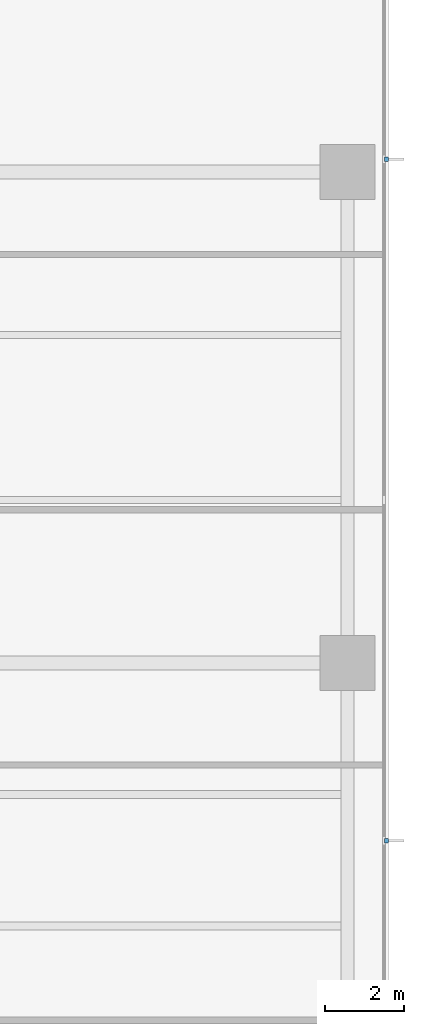
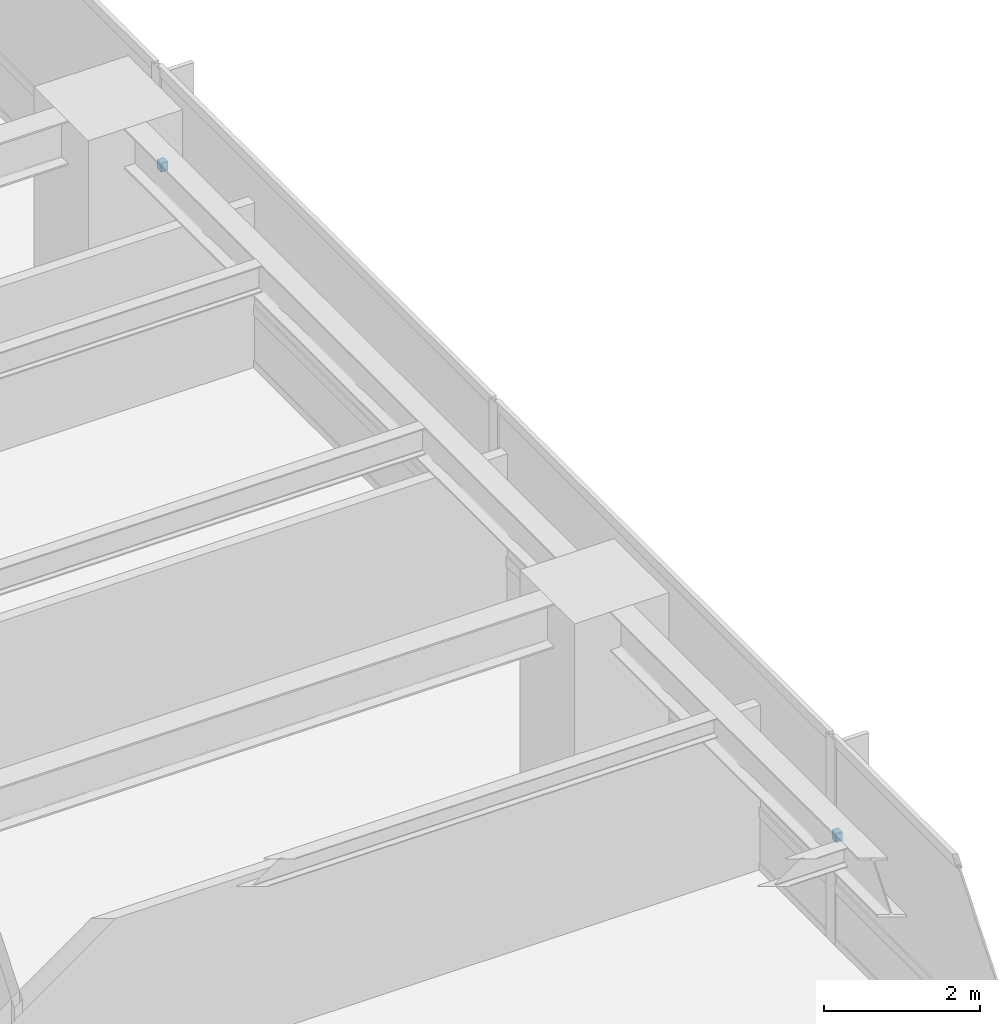
# One storey, part 13 of 16: 2 discrete accessories.
"""IFC4 building model written with IfcOpenShell, lengths in metres."""

from ifc_helpers import new_model, si_unit, direction, frame, origin, place, context, subcontext, project, spatial, polyline, outline, extrude, material, type_object, element, save


model = new_model("IFC4")

# Units and contexts
model_context = context("Model", 3, precision=1e-05, world=origin(), true_north=direction((0.0, 1.0)))
body_context = subcontext(model_context, "Body", "Model", "MODEL_VIEW")
ifc_project = project(units=[si_unit("LENGTHUNIT", "METRE"), si_unit("AREAUNIT", "SQUARE_METRE"), si_unit("VOLUMEUNIT", "CUBIC_METRE"), si_unit("PLANEANGLEUNIT", "RADIAN"), si_unit("MASSUNIT", "GRAM", prefix="KILO")], contexts=[model_context])

# Site, building, storey
site_placement = place(None, origin())
site = spatial("IfcSite", under=ifc_project, at=site_placement, CompositionType="ELEMENT")
building_placement = place(site_placement, origin())
building = spatial("IfcBuilding", under=site, at=building_placement, Name="Qalmaran Belvedere Hotel", CompositionType="ELEMENT")
storey_placement = place(building_placement, frame((0.0, 0.0, 43.89990234375)))
storey = spatial("IfcBuildingStorey", under=building, at=storey_placement, Name="L10", CompositionType="ELEMENT", Elevation=43.89990234375)

# Discrete accessories
ifc_material = material(Name="Stainless Steel 1.4401", Category="steel")
discrete_accessory_type = type_object("IfcDiscreteAccessoryType", Name="BRK-FIN-SS316", PredefinedType="BRACKET", material=ifc_material)
discrete_accessory_1_placement = place(storey_placement, frame((0.0, 0.0, 1.56005859375)))
element("IfcDiscreteAccessory", 1, at=discrete_accessory_1_placement, inside=storey, type_object=discrete_accessory_type, Name="L10 Fin Bracket 1", PredefinedType="BRACKET", context=body_context, shape_type="SweptSolid", body=[
    extrude(outline(polyline([(61.695068359375, 15.919921875), (61.79248046875, 15.919921875), (61.79248046875, 16.030029296875), (61.695068359375, 16.030029296875), (61.695068359375, 15.919921875)])), origin(), (0.0, 0.0, 1.0), 0.14013671875),
])
discrete_accessory_2_placement = place(storey_placement, frame((0.0, 0.0, 1.56005859375)))
element("IfcDiscreteAccessory", 2, at=discrete_accessory_2_placement, inside=storey, type_object=discrete_accessory_type, Name="L10 Fin Bracket 3", PredefinedType="BRACKET", context=body_context, shape_type="SweptSolid", body=[
    extrude(outline(polyline([(61.695068359375, 33.27001953125), (61.79248046875, 33.27001953125), (61.79248046875, 33.3798828125), (61.695068359375, 33.3798828125), (61.695068359375, 33.27001953125)])), origin(), (0.0, 0.0, 1.0), 0.14013671875),
])

save(model, "model.ifc")
